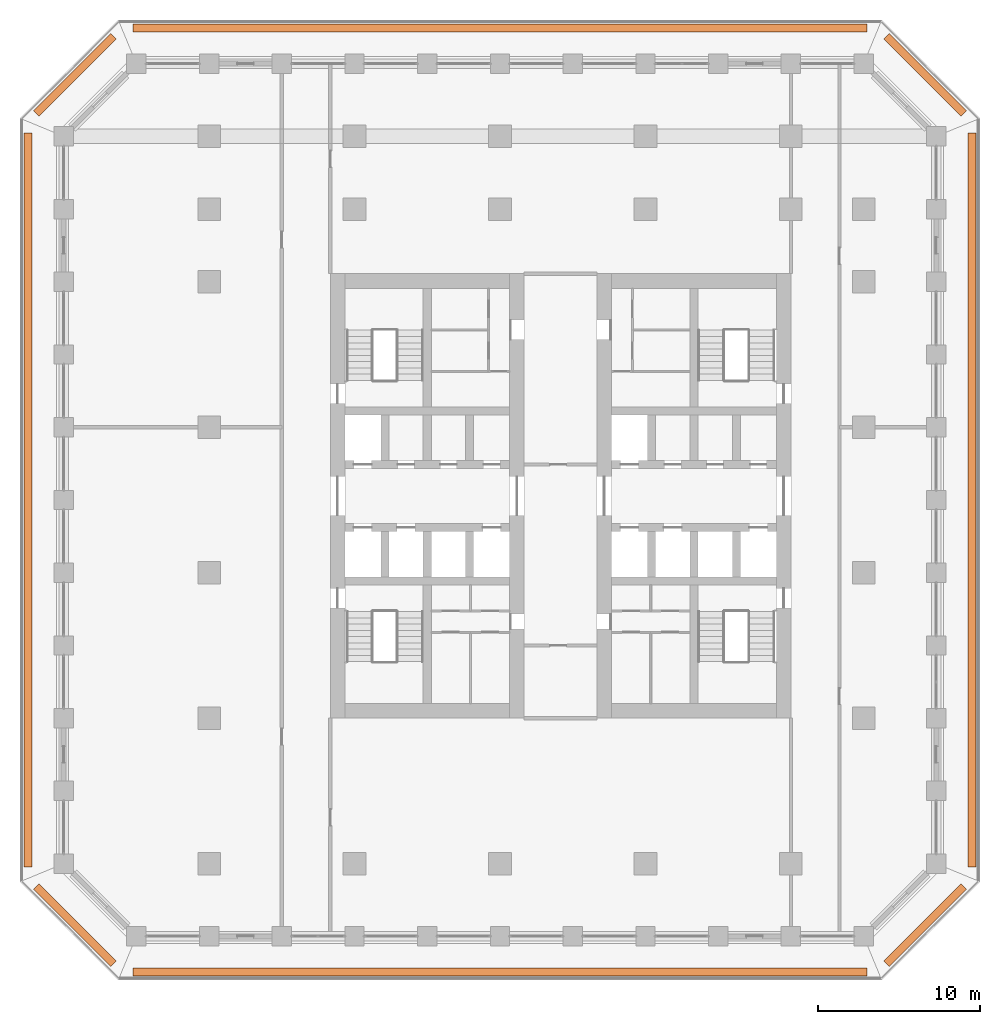
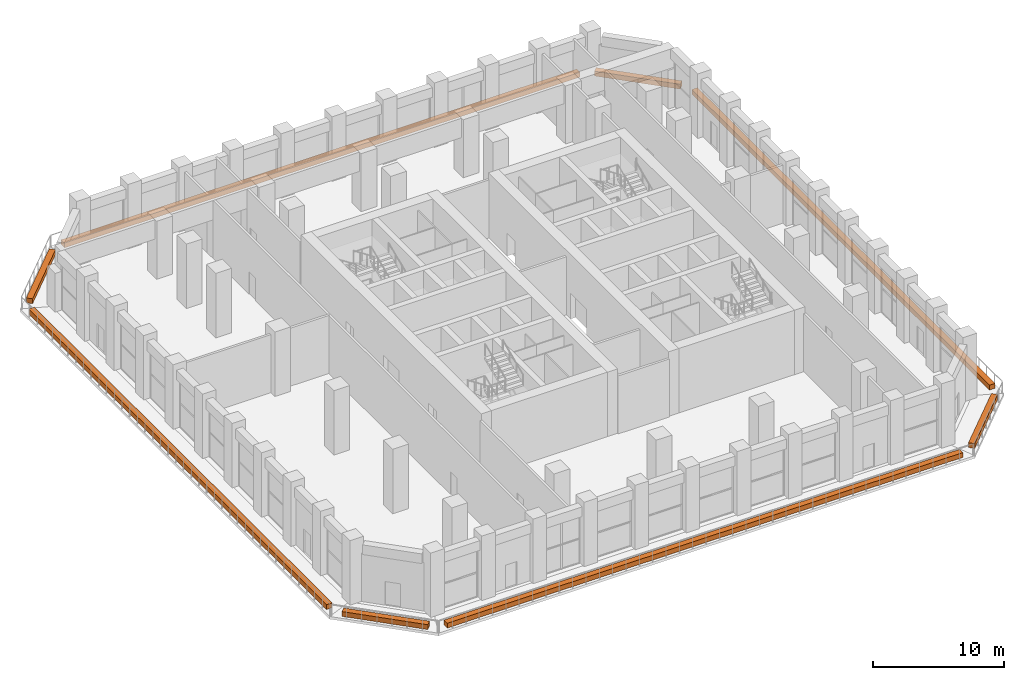
# One storey, part 24 of 24: 8 proxies.
"""IFC4 building model written with IfcOpenShell, lengths in metres."""

from ifc_helpers import new_model, si_unit, direction, frame, origin, origin_2d, place, context, subcontext, project, spatial, rectangle, extrude, material, type_object, element, save


model = new_model("IFC4")

# Units and contexts
model_context = context("Model", 3, precision=1e-05, world=origin(), true_north=direction((0.0, 1.0)))
body_context = subcontext(model_context, "Body", "Model", "MODEL_VIEW")
ifc_project = project(units=[si_unit("LENGTHUNIT", "METRE"), si_unit("AREAUNIT", "SQUARE_METRE"), si_unit("VOLUMEUNIT", "CUBIC_METRE"), si_unit("PLANEANGLEUNIT", "RADIAN"), si_unit("MASSUNIT", "GRAM", prefix="KILO")], contexts=[model_context])

# Site, building, storey
site_placement = place(None, origin())
site = spatial("IfcSite", under=ifc_project, at=site_placement, CompositionType="ELEMENT")
building_placement = place(site_placement, origin())
building = spatial("IfcBuilding", under=site, at=building_placement, Name="Corbel Stack Research Tower", CompositionType="ELEMENT")
storey_placement = place(building_placement, frame((0.0, 0.0, 145.39990234375)))
storey = spatial("IfcBuildingStorey", under=building, at=storey_placement, Name="L33", CompositionType="ELEMENT", Elevation=145.39990234375)

# Proxies
ifc_material = material(Name="Concrete C45/55", Category="concrete")
building_element_proxy_type = type_object("IfcBuildingElementProxyType", Name="Planter box", PredefinedType="USERDEFINED", material=ifc_material)
proxy_1_placement = place(storey_placement, frame((0.0, -24.699951171875, 0.0), z_axis=(0.0, 0.0, 1.0), x_axis=(1.0, 0.0, 0.0)))
element("IfcBuildingElementProxy", 1, at=proxy_1_placement, inside=storey, type_object=building_element_proxy_type, Name="Planter L33 S", ObjectType="PLANTER", PredefinedType="USERDEFINED", context=body_context, shape_type="SweptSolid", body=[
    extrude(rectangle(XDim=45.41064453125, YDim=0.5, at=origin_2d()), origin(), (0.0, 0.0, 1.0), 0.449951171875),
])
proxy_2_placement = place(storey_placement, frame((26.3056640625, -21.8056640625, 0.0), z_axis=(0.0, 0.0, 1.0), x_axis=(0.707106781187, 0.707106781187, 0.0)))
element("IfcBuildingElementProxy", 2, at=proxy_2_placement, inside=storey, type_object=building_element_proxy_type, Name="Planter L33 SE", ObjectType="PLANTER", PredefinedType="USERDEFINED", context=body_context, shape_type="SweptSolid", body=[
    extrude(rectangle(XDim=6.774658203125, YDim=0.5, at=origin_2d()), origin(), (0.0, 0.0, 1.0), 0.449951171875),
])
proxy_3_placement = place(storey_placement, frame((29.199951171875, 4.5, 0.0), z_axis=(0.0, 0.0, 1.0), x_axis=(0.0, 1.0, 0.0)))
element("IfcBuildingElementProxy", 3, at=proxy_3_placement, inside=storey, type_object=building_element_proxy_type, Name="Planter L33 E", ObjectType="PLANTER", PredefinedType="USERDEFINED", context=body_context, shape_type="SweptSolid", body=[
    extrude(rectangle(XDim=45.41064453125, YDim=0.5, at=origin_2d()), origin(), (0.0, 0.0, 1.0), 0.449951171875),
])
proxy_4_placement = place(storey_placement, frame((26.3056640625, 30.8056640625, 0.0), z_axis=(0.0, 0.0, 1.0), x_axis=(-0.707106781187, 0.707106781187, 0.0)))
element("IfcBuildingElementProxy", 4, at=proxy_4_placement, inside=storey, type_object=building_element_proxy_type, Name="Planter L33 NE", ObjectType="PLANTER", PredefinedType="USERDEFINED", context=body_context, shape_type="SweptSolid", body=[
    extrude(rectangle(XDim=6.774658203125, YDim=0.5, at=origin_2d()), origin(), (0.0, 0.0, 1.0), 0.449951171875),
])
proxy_5_placement = place(storey_placement, frame((0.0, 33.699951171875, 0.0), z_axis=(0.0, 0.0, 1.0), x_axis=(-1.0, 0.0, 0.0)))
element("IfcBuildingElementProxy", 5, at=proxy_5_placement, inside=storey, type_object=building_element_proxy_type, Name="Planter L33 N", ObjectType="PLANTER", PredefinedType="USERDEFINED", context=body_context, shape_type="SweptSolid", body=[
    extrude(rectangle(XDim=45.41064453125, YDim=0.5, at=origin_2d()), origin(), (0.0, 0.0, 1.0), 0.449951171875),
])
proxy_6_placement = place(storey_placement, frame((-26.3056640625, 30.8056640625, 0.0), z_axis=(0.0, 0.0, 1.0), x_axis=(-0.707106781187, -0.707106781187, 0.0)))
element("IfcBuildingElementProxy", 6, at=proxy_6_placement, inside=storey, type_object=building_element_proxy_type, Name="Planter L33 NW", ObjectType="PLANTER", PredefinedType="USERDEFINED", context=body_context, shape_type="SweptSolid", body=[
    extrude(rectangle(XDim=6.774658203125, YDim=0.5, at=origin_2d()), origin(), (0.0, 0.0, 1.0), 0.449951171875),
])
proxy_7_placement = place(storey_placement, frame((-29.199951171875, 4.5, 0.0), z_axis=(0.0, 0.0, 1.0), x_axis=(0.0, -1.0, 0.0)))
element("IfcBuildingElementProxy", 7, at=proxy_7_placement, inside=storey, type_object=building_element_proxy_type, Name="Planter L33 W", ObjectType="PLANTER", PredefinedType="USERDEFINED", context=body_context, shape_type="SweptSolid", body=[
    extrude(rectangle(XDim=45.41064453125, YDim=0.5, at=origin_2d()), origin(), (0.0, 0.0, 1.0), 0.449951171875),
])
proxy_8_placement = place(storey_placement, frame((-26.3056640625, -21.8056640625, 0.0), z_axis=(0.0, 0.0, 1.0), x_axis=(0.707106781187, -0.707106781187, 0.0)))
element("IfcBuildingElementProxy", 8, at=proxy_8_placement, inside=storey, type_object=building_element_proxy_type, Name="Planter L33 SW", ObjectType="PLANTER", PredefinedType="USERDEFINED", context=body_context, shape_type="SweptSolid", body=[
    extrude(rectangle(XDim=6.774658203125, YDim=0.5, at=origin_2d()), origin(), (0.0, 0.0, 1.0), 0.449951171875),
])

save(model, "model.ifc")
